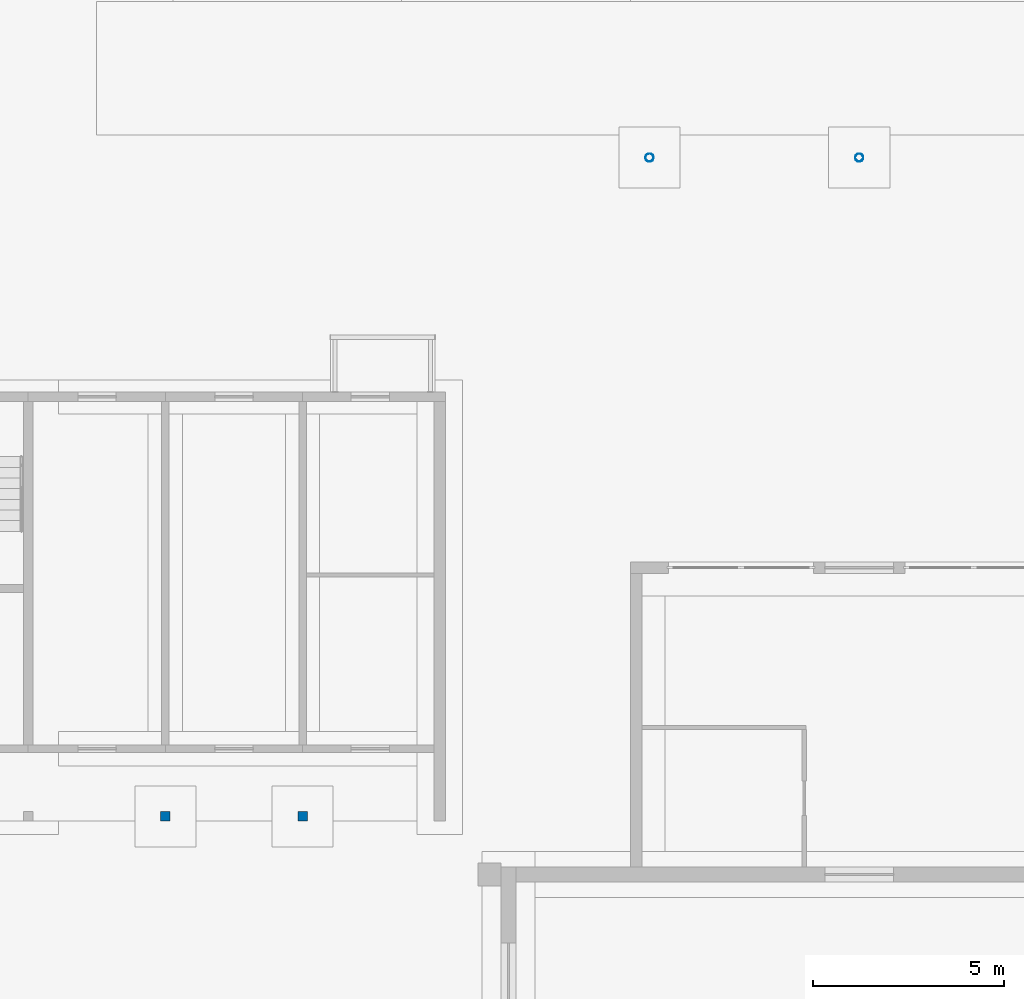
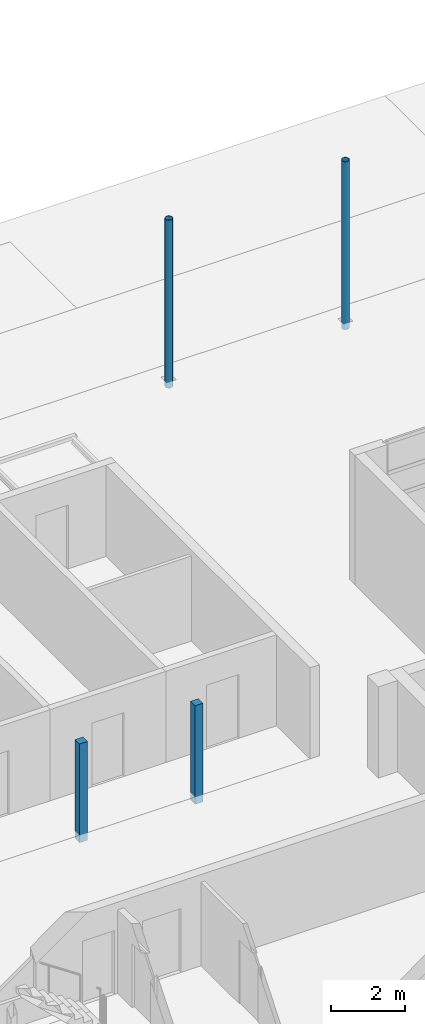
# One storey, part 11 of 112: 4 columns.
"""IFC4 building model written with IfcOpenShell, lengths in metres."""

from ifc_helpers import new_model, si_unit, direction, frame, origin, origin_2d, place, context, subcontext, project, spatial, rectangle, hollow_circle, extrude, material, material_profile, profile_set, type_object, element, save


model = new_model("IFC4")

# Units and contexts
model_context = context("Model", 3, precision=1e-05, world=origin(), true_north=direction((0.0, 1.0)))
body_context = subcontext(model_context, "Body", "Model", "MODEL_VIEW")
ifc_project = project(units=[si_unit("LENGTHUNIT", "METRE"), si_unit("AREAUNIT", "SQUARE_METRE"), si_unit("VOLUMEUNIT", "CUBIC_METRE"), si_unit("PLANEANGLEUNIT", "RADIAN"), si_unit("MASSUNIT", "GRAM", prefix="KILO")], contexts=[model_context])

# Site, building, storey
site_placement = place(None, origin())
site = spatial("IfcSite", under=ifc_project, at=site_placement, CompositionType="ELEMENT")
building_placement = place(site_placement, origin())
building = spatial("IfcBuilding", under=site, at=building_placement, Name="Ridgestep Commons", CompositionType="ELEMENT")
storey_placement = place(building_placement, origin())
storey = spatial("IfcBuildingStorey", under=building, at=storey_placement, Name="L00", CompositionType="ELEMENT", Elevation=0.0)

# Columns
ifc_material_1 = material(Name="Structural steel S355JR", Category="steel")
ifc_material_profile_1 = material_profile(ifc_material_1, hollow_circle(Radius=0.109619140625, WallThickness=0.008056640625, at=origin_2d()), Name="CHS 219.1x8.0")
ifc_profile_set_1 = profile_set([ifc_material_profile_1], Name="Structural steel S355JR")
column_type_1 = type_object("IfcColumnType", Name="Canopy column CHS 219 x 8", PredefinedType="COLUMN", material=ifc_profile_set_1)
for number, where, z_axis, x_axis, name in (
    (1, (118.300048828125, 83.39990234375, -0.25), (0.0, 0.0, 1.0), (1.0, 0.0, 0.0), "Canopy column"),
    (2, (123.800048828125, 83.39990234375, -0.25), (0.0, 0.0, 1.0), (1.0, 0.0, 0.0), "Canopy column"),
):
    element("IfcColumn", number, at=place(storey_placement, frame(where, z_axis=z_axis, x_axis=x_axis)), inside=storey, type_object=column_type_1, Name=name, PredefinedType="COLUMN", context=body_context, shape_type="SweptSolid", body=[
        extrude(hollow_circle(Radius=0.109619140625, WallThickness=0.008056640625, at=origin_2d()), origin(), (0.0, 0.0, 1.0), 5.532470703125),
    ])
ifc_material_2 = material(Name="Precast concrete C40/50", Category="concrete")
ifc_material_profile_2 = material_profile(ifc_material_2, rectangle(XDim=0.25, YDim=0.25, at=origin_2d()), Name="PC 250x250")
ifc_profile_set_2 = profile_set([ifc_material_profile_2], Name="Precast concrete C40/50")
column_type_2 = type_object("IfcColumnType", Name="Loggia column 250 x 250", PredefinedType="COLUMN", material=ifc_profile_set_2)
for number, where, z_axis, x_axis, name in (
    (3, (105.60009765625, 66.125, -0.25), (0.0, 0.0, 1.0), (1.0, 0.0, 0.0), "Loggia column B L00"),
    (4, (109.199951171875, 66.125, -0.25), (0.0, 0.0, 1.0), (1.0, 0.0, 0.0), "Loggia column B L00"),
):
    element("IfcColumn", number, at=place(storey_placement, frame(where, z_axis=z_axis, x_axis=x_axis)), inside=storey, type_object=column_type_2, Name=name, PredefinedType="COLUMN", context=body_context, shape_type="SweptSolid", body=[
        extrude(rectangle(XDim=0.25, YDim=0.25, at=origin_2d()), origin(), (0.0, 0.0, 1.0), 3.25),
    ])

save(model, "model.ifc")
